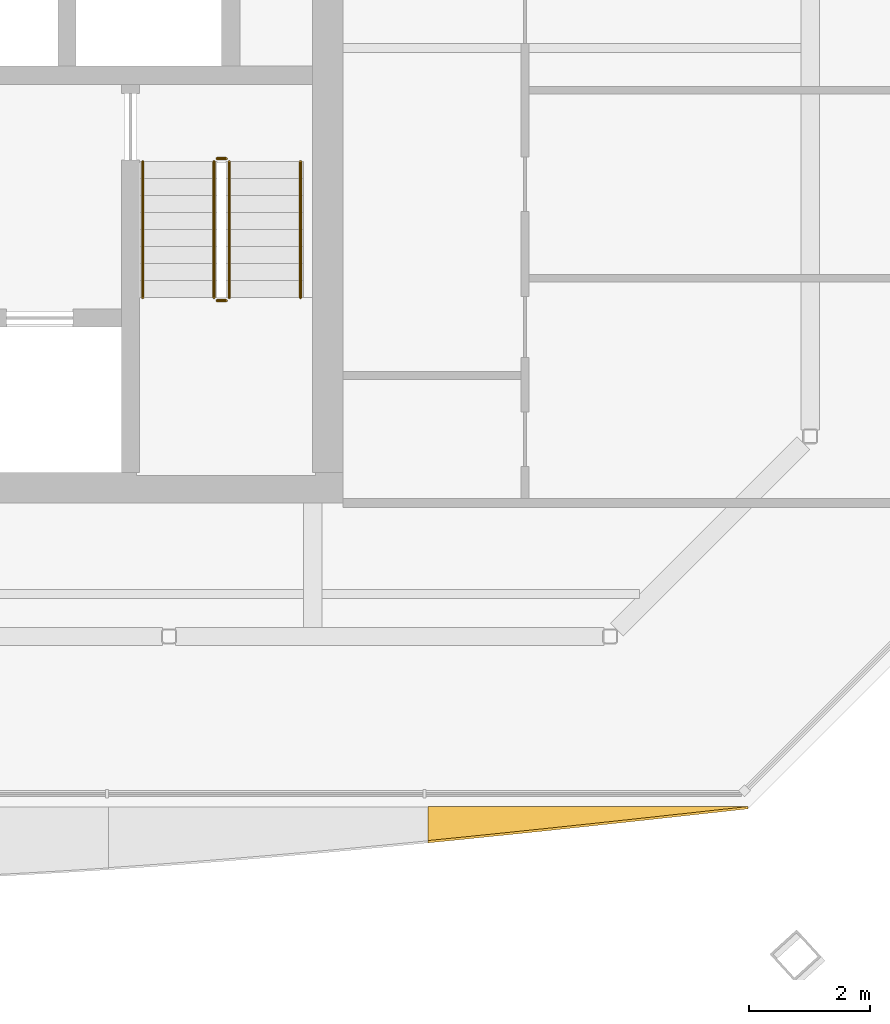
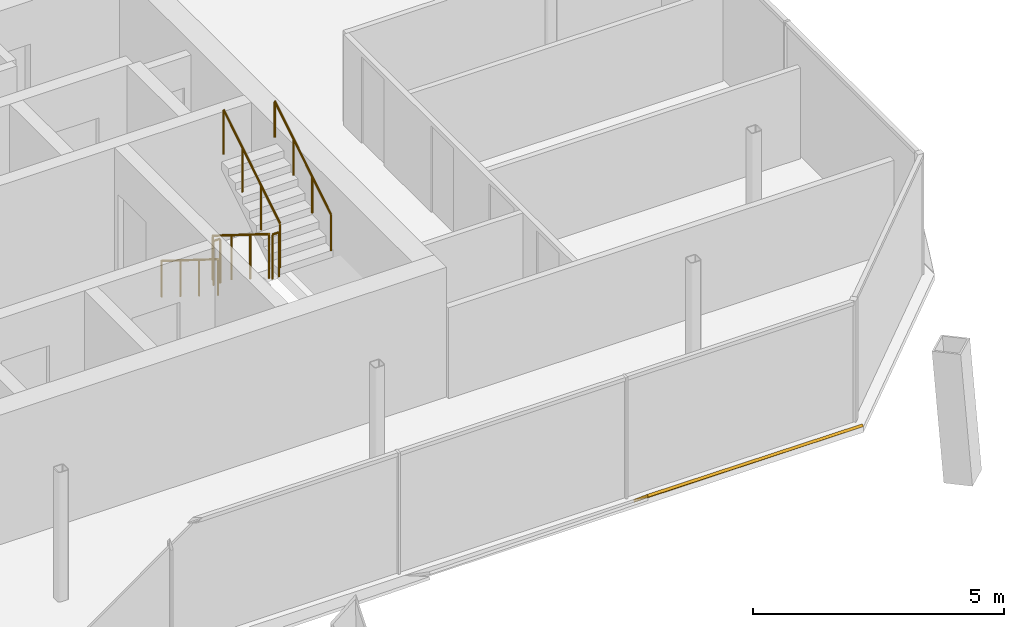
# One storey, part 14 of 16: 6 railings, 1 shading device.
"""IFC4 building model written with IfcOpenShell, lengths in metres."""

from ifc_helpers import new_model, si_unit, direction, frame, origin, origin_2d, place, context, subcontext, project, spatial, polyline, circle, outline, extrude, material, layer, layer_set, type_object, element, save


model = new_model("IFC4")

# Units and contexts
model_context = context("Model", 3, precision=1e-05, world=origin(), true_north=direction((0.0, 1.0)))
body_context = subcontext(model_context, "Body", "Model", "MODEL_VIEW")
ifc_project = project(units=[si_unit("LENGTHUNIT", "METRE"), si_unit("AREAUNIT", "SQUARE_METRE"), si_unit("VOLUMEUNIT", "CUBIC_METRE"), si_unit("PLANEANGLEUNIT", "RADIAN"), si_unit("MASSUNIT", "GRAM", prefix="KILO")], contexts=[model_context])

# Site, building, storey
site_placement = place(None, origin())
site = spatial("IfcSite", under=ifc_project, at=site_placement, CompositionType="ELEMENT")
building_placement = place(site_placement, origin())
building = spatial("IfcBuilding", under=site, at=building_placement, Name="Tskaro Facet Tower", CompositionType="ELEMENT")
storey_placement = place(building_placement, frame((0.0, 0.0, 265.800048828125)))
storey = spatial("IfcBuildingStorey", under=building, at=storey_placement, Name="L70", CompositionType="ELEMENT", Elevation=265.800048828125)

# Shading device
ifc_material_1 = material(Name="Bronze anodised aluminium 6063-T6", Category="aluminium")
ifc_layer = layer(ifc_material_1, 0.06005859375, Name="Bronze anodised aluminium 6063-T6")
ifc_layer_set = layer_set([ifc_layer], Name="Bronze anodised aluminium 6063-T6")
shading_device_type = type_object("IfcShadingDeviceType", Name="Bronze sun blade (FN1)", PredefinedType="USERDEFINED", material=ifc_layer_set)
shading_device_placement = place(storey_placement, frame((10.904296875, -17.00439453125, 0.0458984375), z_axis=(-9.345497e-06, 0.642858358115, 0.765985072514), x_axis=(0.999999999956, 6.007831e-06, 7.158511e-06)))
element("IfcShadingDevice", 1, at=shading_device_placement, inside=storey, type_object=shading_device_type, Name="Fin blade south 5", ObjectType="FIN", PredefinedType="USERDEFINED", context=body_context, shape_type="SweptSolid", body=[
    extrude(outline(polyline([(0.0, 0.0), (5.269775390394874, -4.4636733804892756e-21), (4.611083983720397, -0.09462141057720494), (3.9523925785126757, -0.18905581308005748), (3.293701172743099, -0.28280230375151816), (2.6350097661307386, -0.375516926675891), (1.9763183586755944, -0.46719968185317595), (1.3173828124052611, -0.5571325972189725), (0.658691405355278, -0.6453457330062891), (-4.467606924848313e-10, -0.7311211171507255), (0.0, 0.0)])), origin(), (0.0, 0.0, -1.0), 0.06005859375),
])

# Railings
ifc_material_2 = material(Name="Stainless steel", Category="steel")
railing_type_1 = type_object("IfcRailingType", Name="RL-GUARD-1100", PredefinedType="GUARDRAIL", material=ifc_material_2)
railing_1_placement = place(storey_placement, frame((7.375, -6.375, 0.175048828125)))
element("IfcRailing", 2, at=railing_1_placement, inside=storey, type_object=railing_type_1, Name="L70 ST-2 stair guard 1", PredefinedType="GUARDRAIL", context=body_context, shape_type="SweptSolid", body=[
    extrude(circle(Radius=0.02392578125, at=origin_2d()), frame((0.0, 0.0, 1.076171875), z_axis=(0.0, -0.848013881152, 0.529974015752), x_axis=(1.0, 0.0, 0.0)), (0.0, 0.0, 1.0), 2.641357421875),
    extrude(circle(Radius=0.02099609375, at=origin_2d()), origin(), (0.0, 0.0, 1.0), 1.052001953125),
    extrude(circle(Radius=0.02099609375, at=origin_2d()), frame((0.0, -0.74658203125, 0.466552734375)), (0.0, 0.0, 1.0), 1.052001953125),
    extrude(circle(Radius=0.02099609375, at=origin_2d()), frame((0.0, -1.493408203125, 0.933349609375)), (0.0, 0.0, 1.0), 1.052001953125),
    extrude(circle(Radius=0.02099609375, at=origin_2d()), frame((0.0, -2.239990234375, 1.39990234375)), (0.0, 0.0, 1.0), 1.052001953125),
])
railing_2_placement = place(storey_placement, frame((7.425048828125, -8.6650390625, 1.574951171875)))
element("IfcRailing", 3, at=railing_2_placement, inside=storey, type_object=railing_type_1, Name="L70 ST-2 stair guard 2", PredefinedType="GUARDRAIL", context=body_context, shape_type="SweptSolid", body=[
    extrude(circle(Radius=0.02392578125, at=origin_2d()), frame((0.0, 0.0, 1.076171875), z_axis=(1.0, 0.0, 0.0), x_axis=(0.0, 1.0, 0.0)), (0.0, 0.0, 1.0), 0.14990234375),
    extrude(circle(Radius=0.02099609375, at=origin_2d()), origin(), (0.0, 0.0, 1.0), 1.052001953125),
    extrude(circle(Radius=0.02099609375, at=origin_2d()), frame((0.14990234375, 0.0, 0.0)), (0.0, 0.0, 1.0), 1.052001953125),
])
railing_3_placement = place(storey_placement, frame((7.625, -8.614990234375, 1.75)))
element("IfcRailing", 4, at=railing_3_placement, inside=storey, type_object=railing_type_1, Name="L70 ST-2 stair guard 3", PredefinedType="GUARDRAIL", context=body_context, shape_type="SweptSolid", body=[
    extrude(circle(Radius=0.02392578125, at=origin_2d()), frame((0.0, 0.0, 1.076171875), z_axis=(0.0, 0.848013881152, 0.529974015752), x_axis=(-1.0, 0.0, 0.0)), (0.0, 0.0, 1.0), 2.641357421875),
    extrude(circle(Radius=0.02099609375, at=origin_2d()), origin(), (0.0, 0.0, 1.0), 1.052001953125),
    extrude(circle(Radius=0.02099609375, at=origin_2d()), frame((0.0, 0.74658203125, 0.466552734375)), (0.0, 0.0, 1.0), 1.052001953125),
    extrude(circle(Radius=0.02099609375, at=origin_2d()), frame((0.0, 1.493408203125, 0.933349609375)), (0.0, 0.0, 1.0), 1.052001953125),
    extrude(circle(Radius=0.02099609375, at=origin_2d()), frame((0.0, 2.239990234375, 1.39990234375)), (0.0, 0.0, 1.0), 1.052001953125),
])
railing_4_placement = place(storey_placement, frame((7.425048828125, -6.324951171875, 0.0)))
element("IfcRailing", 5, at=railing_4_placement, inside=storey, type_object=railing_type_1, Name="L70 ST-2 stair guard 4", PredefinedType="GUARDRAIL", context=body_context, shape_type="SweptSolid", body=[
    extrude(circle(Radius=0.02392578125, at=origin_2d()), frame((0.0, 0.0, 1.076171875), z_axis=(1.0, 0.0, 0.0), x_axis=(0.0, 1.0, 0.0)), (0.0, 0.0, 1.0), 0.14990234375),
    extrude(circle(Radius=0.02099609375, at=origin_2d()), origin(), (0.0, 0.0, 1.0), 1.052001953125),
    extrude(circle(Radius=0.02099609375, at=origin_2d()), frame((0.14990234375, 0.0, 0.0)), (0.0, 0.0, 1.0), 1.052001953125),
])
railing_type_2 = type_object("IfcRailingType", Name="RL-HANDRAIL-900", PredefinedType="HANDRAIL", material=ifc_material_2)
railing_5_placement = place(storey_placement, frame((6.199951171875, -6.375, 0.175048828125)))
element("IfcRailing", 6, at=railing_5_placement, inside=storey, type_object=railing_type_2, Name="L70 ST-2 stair handrail 1", PredefinedType="HANDRAIL", context=body_context, shape_type="SweptSolid", body=[
    extrude(circle(Radius=0.02392578125, at=origin_2d()), frame((0.0, 0.0, 0.8759765625), z_axis=(0.0, -0.848013881152, 0.529974015752), x_axis=(1.0, 0.0, 0.0)), (0.0, 0.0, 1.0), 2.641357421875),
    extrude(circle(Radius=0.02099609375, at=origin_2d()), origin(), (0.0, 0.0, 1.0), 0.851806640625),
    extrude(circle(Radius=0.02099609375, at=origin_2d()), frame((0.0, -0.74658203125, 0.466552734375)), (0.0, 0.0, 1.0), 0.851806640625),
    extrude(circle(Radius=0.02099609375, at=origin_2d()), frame((0.0, -1.493408203125, 0.933349609375)), (0.0, 0.0, 1.0), 0.851806640625),
    extrude(circle(Radius=0.02099609375, at=origin_2d()), frame((0.0, -2.239990234375, 1.39990234375)), (0.0, 0.0, 1.0), 0.851806640625),
])
railing_6_placement = place(storey_placement, frame((8.800048828125, -8.614990234375, 1.75)))
element("IfcRailing", 7, at=railing_6_placement, inside=storey, type_object=railing_type_2, Name="L70 ST-2 stair handrail 2", PredefinedType="HANDRAIL", context=body_context, shape_type="SweptSolid", body=[
    extrude(circle(Radius=0.02392578125, at=origin_2d()), frame((0.0, 0.0, 0.8759765625), z_axis=(0.0, 0.848013881152, 0.529974015752), x_axis=(-1.0, 0.0, 0.0)), (0.0, 0.0, 1.0), 2.641357421875),
    extrude(circle(Radius=0.02099609375, at=origin_2d()), origin(), (0.0, 0.0, 1.0), 0.851806640625),
    extrude(circle(Radius=0.02099609375, at=origin_2d()), frame((0.0, 0.74658203125, 0.466552734375)), (0.0, 0.0, 1.0), 0.851806640625),
    extrude(circle(Radius=0.02099609375, at=origin_2d()), frame((0.0, 1.493408203125, 0.933349609375)), (0.0, 0.0, 1.0), 0.851806640625),
    extrude(circle(Radius=0.02099609375, at=origin_2d()), frame((0.0, 2.239990234375, 1.39990234375)), (0.0, 0.0, 1.0), 0.851806640625),
])

save(model, "model.ifc")
